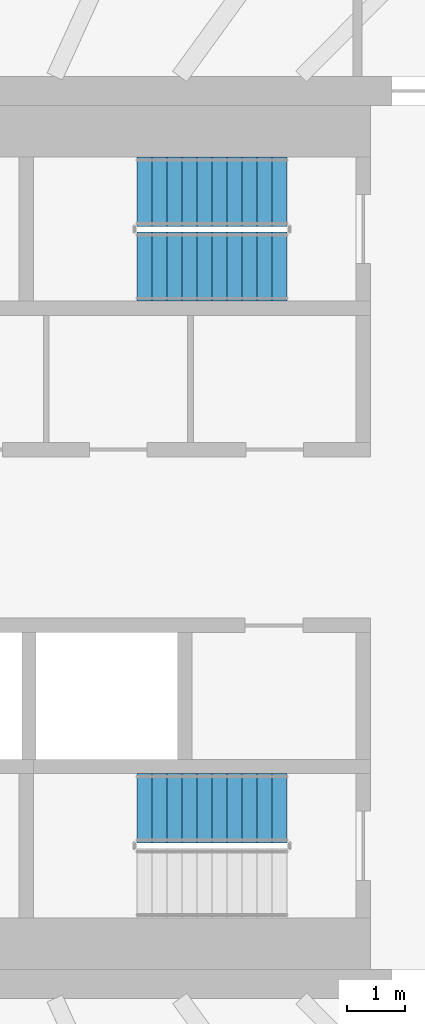
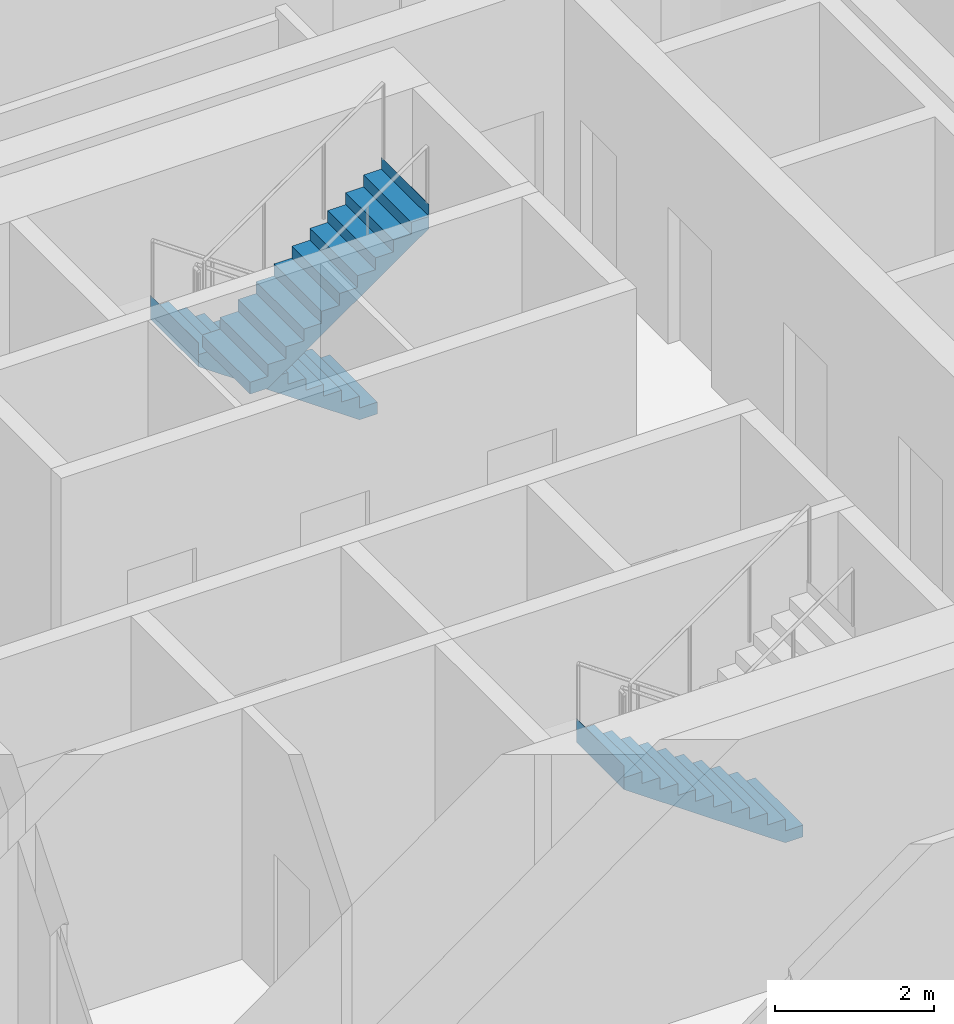
# One storey, part 17 of 23: 3 stair flights, 2 elements without a shape of their own.
"""IFC4 building model written with IfcOpenShell, lengths in metres."""

from ifc_helpers import new_model, si_unit, direction, frame, origin, place, context, subcontext, project, spatial, triangles, material, type_object, element, aggregate, save


model = new_model("IFC4")

# Units and contexts
model_context = context("Model", 3, precision=1e-05, world=origin(), true_north=direction((0.0, 1.0)))
body_context = subcontext(model_context, "Body", "Model", "MODEL_VIEW")
ifc_project = project(units=[si_unit("LENGTHUNIT", "METRE"), si_unit("AREAUNIT", "SQUARE_METRE"), si_unit("VOLUMEUNIT", "CUBIC_METRE"), si_unit("PLANEANGLEUNIT", "RADIAN"), si_unit("MASSUNIT", "GRAM", prefix="KILO")], contexts=[model_context])

# Site, building, storey
site_placement = place(None, origin())
site = spatial("IfcSite", under=ifc_project, at=site_placement, CompositionType="ELEMENT")
building_placement = place(site_placement, origin())
building = spatial("IfcBuilding", under=site, at=building_placement, Name="Sahrelin Media Tower", CompositionType="ELEMENT")
storey_placement = place(building_placement, frame((0.0, 0.0, 173.60009765625)))
storey = spatial("IfcBuildingStorey", under=building, at=storey_placement, Name="L36", CompositionType="ELEMENT", Elevation=173.60009765625)

# Stair, stair flights
ifc_material = material(Name="Concrete C40/50", Category="concrete")
stair_type = type_object("IfcStairType", Name="Exit stair 1200", PredefinedType="HALF_TURN_STAIR", material=ifc_material)
placement = place(storey_placement, origin())
stair_1 = element("IfcStair", 1, at=placement, inside=storey, type_object=stair_type, Name="L36 Exit stair ST3", PredefinedType="HALF_TURN_STAIR")
stair_flight_type = type_object("IfcStairFlightType", Name="Stair flight 1200", PredefinedType="STRAIGHT", material=ifc_material)
stair_flight_1_placement = place(storey_placement, frame((7.675048828125, 6.0, 0.0), z_axis=(0.0, 0.0, 1.0), x_axis=(-1.0, 0.0, 0.0)))
stair_flight_1 = element("IfcStairFlight", 2, at=stair_flight_1_placement, type_object=stair_flight_type, Name="ST3 flight 1", NumberOfRisers=11, NumberOfTreads=10, PredefinedType="STRAIGHT", RiserHeight=0.181818182, TreadLength=0.26, context=body_context, shape_type="Tessellation", body=[
    triangles([(0.261474609375, 0.60009765625, 0.0), (0.261474609375, 0.300048828125, 0.0), (0.261474609375, 0.0, 0.0), (0.261474609375, -0.300048828125, 0.0), (0.261474609375, -0.60009765625, 0.0), (2.60009765625, 0.60009765625, 1.63525390625), (2.60009765625, 0.300048828125, 1.63525390625), (2.60009765625, 0.0, 1.63525390625), (2.60009765625, -0.300048828125, 1.63525390625), (2.60009765625, -0.60009765625, 1.63525390625), (2.60009765625, 0.60009765625, 2.0), (2.60009765625, 0.300048828125, 2.0), (2.60009765625, 0.0, 2.0), (2.60009765625, -0.300048828125, 2.0), (2.60009765625, -0.60009765625, 2.0), (2.597900390625, 0.60009765625, 2.0), (2.597900390625, 0.300048828125, 2.0), (2.597900390625, 0.0, 2.0), (2.597900390625, -0.300048828125, 2.0), (2.597900390625, -0.60009765625, 2.0), (2.597900390625, 0.60009765625, 1.818115234375), (2.597900390625, 0.300048828125, 1.818115234375), (2.597900390625, 0.0, 1.818115234375), (2.597900390625, -0.300048828125, 1.818115234375), (2.597900390625, -0.60009765625, 1.818115234375), (2.340087890625, 0.60009765625, 1.818115234375), (2.340087890625, 0.300048828125, 1.818115234375), (2.340087890625, 0.0, 1.818115234375), (2.340087890625, -0.300048828125, 1.818115234375), (2.340087890625, -0.60009765625, 1.818115234375), (2.340087890625, 0.60009765625, 1.636474609375), (2.340087890625, 0.300048828125, 1.636474609375), (2.340087890625, 0.0, 1.636474609375), (2.340087890625, -0.300048828125, 1.636474609375), (2.340087890625, -0.60009765625, 1.636474609375), (2.080078125, 0.60009765625, 1.636474609375), (2.080078125, 0.300048828125, 1.636474609375), (2.080078125, 0.0, 1.636474609375), (2.080078125, -0.300048828125, 1.636474609375), (2.080078125, -0.60009765625, 1.636474609375), (2.080078125, 0.60009765625, 1.45458984375), (2.080078125, 0.300048828125, 1.45458984375), (2.080078125, 0.0, 1.45458984375), (2.080078125, -0.300048828125, 1.45458984375), (2.080078125, -0.60009765625, 1.45458984375), (1.820068359375, 0.60009765625, 1.45458984375), (1.820068359375, 0.300048828125, 1.45458984375), (1.820068359375, 0.0, 1.45458984375), (1.820068359375, -0.300048828125, 1.45458984375), (1.820068359375, -0.60009765625, 1.45458984375), (1.820068359375, 0.60009765625, 1.272705078125), (1.820068359375, 0.300048828125, 1.272705078125), (1.820068359375, 0.0, 1.272705078125), (1.820068359375, -0.300048828125, 1.272705078125), (1.820068359375, -0.60009765625, 1.272705078125), (1.56005859375, 0.60009765625, 1.272705078125), (1.56005859375, 0.300048828125, 1.272705078125), (1.56005859375, 0.0, 1.272705078125), (1.56005859375, -0.300048828125, 1.272705078125), (1.56005859375, -0.60009765625, 1.272705078125), (1.56005859375, 0.60009765625, 1.0908203125), (1.56005859375, 0.300048828125, 1.0908203125), (1.56005859375, 0.0, 1.0908203125), (1.56005859375, -0.300048828125, 1.0908203125), (1.56005859375, -0.60009765625, 1.0908203125), (1.300048828125, 0.60009765625, 1.0908203125), (1.300048828125, 0.300048828125, 1.0908203125), (1.300048828125, 0.0, 1.0908203125), (1.300048828125, -0.300048828125, 1.0908203125), (1.300048828125, -0.60009765625, 1.0908203125), (1.300048828125, 0.60009765625, 0.9091796875), (1.300048828125, 0.300048828125, 0.9091796875), (1.300048828125, 0.0, 0.9091796875), (1.300048828125, -0.300048828125, 0.9091796875), (1.300048828125, -0.60009765625, 0.9091796875), (1.0400390625, 0.60009765625, 0.9091796875), (1.0400390625, 0.300048828125, 0.9091796875), (1.0400390625, 0.0, 0.9091796875), (1.0400390625, -0.300048828125, 0.9091796875), (1.0400390625, -0.60009765625, 0.9091796875), (1.0400390625, 0.60009765625, 0.727294921875), (1.0400390625, 0.300048828125, 0.727294921875), (1.0400390625, 0.0, 0.727294921875), (1.0400390625, -0.300048828125, 0.727294921875), (1.0400390625, -0.60009765625, 0.727294921875), (0.780029296875, 0.60009765625, 0.727294921875), (0.780029296875, 0.300048828125, 0.727294921875), (0.780029296875, 0.0, 0.727294921875), (0.780029296875, -0.300048828125, 0.727294921875), (0.780029296875, -0.60009765625, 0.727294921875), (0.780029296875, 0.60009765625, 0.54541015625), (0.780029296875, 0.300048828125, 0.54541015625), (0.780029296875, 0.0, 0.54541015625), (0.780029296875, -0.300048828125, 0.54541015625), (0.780029296875, -0.60009765625, 0.54541015625), (0.52001953125, 0.60009765625, 0.54541015625), (0.52001953125, 0.300048828125, 0.54541015625), (0.52001953125, 0.0, 0.54541015625), (0.52001953125, -0.300048828125, 0.54541015625), (0.52001953125, -0.60009765625, 0.54541015625), (0.52001953125, 0.60009765625, 0.363525390625), (0.52001953125, 0.300048828125, 0.363525390625), (0.52001953125, 0.0, 0.363525390625), (0.52001953125, -0.300048828125, 0.363525390625), (0.52001953125, -0.60009765625, 0.363525390625), (0.260009765625, 0.60009765625, 0.363525390625), (0.260009765625, 0.300048828125, 0.363525390625), (0.260009765625, 0.0, 0.363525390625), (0.260009765625, -0.300048828125, 0.363525390625), (0.260009765625, -0.60009765625, 0.363525390625), (0.260009765625, 0.60009765625, 0.181884765625), (0.260009765625, 0.300048828125, 0.181884765625), (0.260009765625, 0.0, 0.181884765625), (0.260009765625, -0.300048828125, 0.181884765625), (0.260009765625, -0.60009765625, 0.181884765625), (0.0, 0.60009765625, 0.181884765625), (0.0, 0.300048828125, 0.181884765625), (0.0, 0.0, 0.181884765625), (0.0, -0.300048828125, 0.181884765625), (0.0, -0.60009765625, 0.181884765625), (0.0, 0.60009765625, 0.0), (0.0, 0.300048828125, 0.0), (0.0, 0.0, 0.0), (0.0, -0.300048828125, 0.0), (0.0, -0.60009765625, 0.0)], [[1, 6, 7], [1, 7, 2], [2, 7, 8], [2, 8, 3], [3, 8, 9], [3, 9, 4], [4, 9, 10], [4, 10, 5], [6, 11, 12], [6, 12, 7], [7, 12, 13], [7, 13, 8], [8, 13, 14], [8, 14, 9], [9, 14, 15], [9, 15, 10], [11, 16, 17], [11, 17, 12], [12, 17, 18], [12, 18, 13], [13, 18, 19], [13, 19, 14], [14, 19, 20], [14, 20, 15], [16, 21, 22], [16, 22, 17], [17, 22, 23], [17, 23, 18], [18, 23, 24], [18, 24, 19], [19, 24, 25], [19, 25, 20], [21, 26, 27], [21, 27, 22], [22, 27, 28], [22, 28, 23], [23, 28, 29], [23, 29, 24], [24, 29, 30], [24, 30, 25], [26, 31, 32], [26, 32, 27], [27, 32, 33], [27, 33, 28], [28, 33, 34], [28, 34, 29], [29, 34, 35], [29, 35, 30], [31, 36, 37], [31, 37, 32], [32, 37, 38], [32, 38, 33], [33, 38, 39], [33, 39, 34], [34, 39, 40], [34, 40, 35], [36, 41, 42], [36, 42, 37], [37, 42, 43], [37, 43, 38], [38, 43, 44], [38, 44, 39], [39, 44, 45], [39, 45, 40], [41, 46, 47], [41, 47, 42], [42, 47, 48], [42, 48, 43], [43, 48, 49], [43, 49, 44], [44, 49, 50], [44, 50, 45], [46, 51, 52], [46, 52, 47], [47, 52, 53], [47, 53, 48], [48, 53, 54], [48, 54, 49], [49, 54, 55], [49, 55, 50], [51, 56, 57], [51, 57, 52], [52, 57, 58], [52, 58, 53], [53, 58, 59], [53, 59, 54], [54, 59, 60], [54, 60, 55], [56, 61, 62], [56, 62, 57], [57, 62, 63], [57, 63, 58], [58, 63, 64], [58, 64, 59], [59, 64, 65], [59, 65, 60], [61, 66, 67], [61, 67, 62], [62, 67, 68], [62, 68, 63], [63, 68, 69], [63, 69, 64], [64, 69, 70], [64, 70, 65], [66, 71, 72], [66, 72, 67], [67, 72, 73], [67, 73, 68], [68, 73, 74], [68, 74, 69], [69, 74, 75], [69, 75, 70], [71, 76, 77], [71, 77, 72], [72, 77, 78], [72, 78, 73], [73, 78, 79], [73, 79, 74], [74, 79, 80], [74, 80, 75], [76, 81, 82], [76, 82, 77], [77, 82, 83], [77, 83, 78], [78, 83, 84], [78, 84, 79], [79, 84, 85], [79, 85, 80], [81, 86, 87], [81, 87, 82], [82, 87, 88], [82, 88, 83], [83, 88, 89], [83, 89, 84], [84, 89, 90], [84, 90, 85], [86, 91, 92], [86, 92, 87], [87, 92, 93], [87, 93, 88], [88, 93, 94], [88, 94, 89], [89, 94, 95], [89, 95, 90], [91, 96, 97], [91, 97, 92], [92, 97, 98], [92, 98, 93], [93, 98, 99], [93, 99, 94], [94, 99, 100], [94, 100, 95], [96, 101, 102], [96, 102, 97], [97, 102, 103], [97, 103, 98], [98, 103, 104], [98, 104, 99], [99, 104, 105], [99, 105, 100], [101, 106, 107], [101, 107, 102], [102, 107, 108], [102, 108, 103], [103, 108, 109], [103, 109, 104], [104, 109, 110], [104, 110, 105], [106, 111, 112], [106, 112, 107], [107, 112, 113], [107, 113, 108], [108, 113, 114], [108, 114, 109], [109, 114, 115], [109, 115, 110], [111, 116, 117], [111, 117, 112], [112, 117, 118], [112, 118, 113], [113, 118, 119], [113, 119, 114], [114, 119, 120], [114, 120, 115], [116, 121, 122], [116, 122, 117], [117, 122, 123], [117, 123, 118], [118, 123, 124], [118, 124, 119], [119, 124, 125], [119, 125, 120], [121, 1, 2], [121, 2, 122], [122, 2, 3], [122, 3, 123], [123, 3, 4], [123, 4, 124], [124, 4, 5], [124, 5, 125], [115, 120, 125], [111, 121, 116], [115, 105, 110], [111, 106, 101], [105, 95, 100], [101, 96, 91], [95, 85, 90], [91, 86, 81], [85, 75, 80], [81, 76, 71], [75, 65, 70], [71, 66, 61], [65, 55, 60], [61, 56, 51], [55, 45, 50], [51, 46, 41], [45, 35, 40], [41, 36, 31], [35, 25, 30], [31, 26, 21], [25, 15, 20], [21, 16, 11], [125, 5, 115], [121, 111, 1], [25, 10, 15], [21, 11, 6], [105, 115, 5], [101, 1, 111], [35, 10, 25], [31, 21, 6], [95, 105, 5], [91, 1, 101], [45, 10, 35], [41, 31, 6], [85, 95, 5], [81, 1, 91], [55, 10, 45], [51, 41, 6], [75, 85, 5], [71, 1, 81], [65, 10, 55], [61, 51, 6], [5, 10, 75], [1, 71, 6], [75, 10, 65], [71, 61, 6]], closed=True),
])
stair_flight_2_placement = place(storey_placement, frame((5.074951171875, 4.699951171875, 2.0), z_axis=(0.0, 0.0, 1.0), x_axis=(1.0, 0.0, 0.0)))
stair_flight_2 = element("IfcStairFlight", 3, at=stair_flight_2_placement, type_object=stair_flight_type, Name="ST3 flight 2", NumberOfRisers=11, NumberOfTreads=10, PredefinedType="STRAIGHT", RiserHeight=0.181818182, TreadLength=0.26, context=body_context, shape_type="Tessellation", body=[
    triangles([(0.261474609375, 0.60009765625, 0.0), (0.261474609375, 0.300048828125, 0.0), (0.261474609375, 0.0, 0.0), (0.261474609375, -0.300048828125, 0.0), (0.261474609375, -0.60009765625, 0.0), (2.60009765625, 0.60009765625, 1.63525390625), (2.60009765625, 0.300048828125, 1.63525390625), (2.60009765625, 0.0, 1.63525390625), (2.60009765625, -0.300048828125, 1.63525390625), (2.60009765625, -0.60009765625, 1.63525390625), (2.60009765625, 0.60009765625, 2.0), (2.60009765625, 0.300048828125, 2.0), (2.60009765625, 0.0, 2.0), (2.60009765625, -0.300048828125, 2.0), (2.60009765625, -0.60009765625, 2.0), (2.597900390625, 0.60009765625, 2.0), (2.597900390625, 0.300048828125, 2.0), (2.597900390625, 0.0, 2.0), (2.597900390625, -0.300048828125, 2.0), (2.597900390625, -0.60009765625, 2.0), (2.597900390625, 0.60009765625, 1.818115234375), (2.597900390625, 0.300048828125, 1.818115234375), (2.597900390625, 0.0, 1.818115234375), (2.597900390625, -0.300048828125, 1.818115234375), (2.597900390625, -0.60009765625, 1.818115234375), (2.340087890625, 0.60009765625, 1.818115234375), (2.340087890625, 0.300048828125, 1.818115234375), (2.340087890625, 0.0, 1.818115234375), (2.340087890625, -0.300048828125, 1.818115234375), (2.340087890625, -0.60009765625, 1.818115234375), (2.340087890625, 0.60009765625, 1.636474609375), (2.340087890625, 0.300048828125, 1.636474609375), (2.340087890625, 0.0, 1.636474609375), (2.340087890625, -0.300048828125, 1.636474609375), (2.340087890625, -0.60009765625, 1.636474609375), (2.080078125, 0.60009765625, 1.636474609375), (2.080078125, 0.300048828125, 1.636474609375), (2.080078125, 0.0, 1.636474609375), (2.080078125, -0.300048828125, 1.636474609375), (2.080078125, -0.60009765625, 1.636474609375), (2.080078125, 0.60009765625, 1.45458984375), (2.080078125, 0.300048828125, 1.45458984375), (2.080078125, 0.0, 1.45458984375), (2.080078125, -0.300048828125, 1.45458984375), (2.080078125, -0.60009765625, 1.45458984375), (1.820068359375, 0.60009765625, 1.45458984375), (1.820068359375, 0.300048828125, 1.45458984375), (1.820068359375, 0.0, 1.45458984375), (1.820068359375, -0.300048828125, 1.45458984375), (1.820068359375, -0.60009765625, 1.45458984375), (1.820068359375, 0.60009765625, 1.272705078125), (1.820068359375, 0.300048828125, 1.272705078125), (1.820068359375, 0.0, 1.272705078125), (1.820068359375, -0.300048828125, 1.272705078125), (1.820068359375, -0.60009765625, 1.272705078125), (1.56005859375, 0.60009765625, 1.272705078125), (1.56005859375, 0.300048828125, 1.272705078125), (1.56005859375, 0.0, 1.272705078125), (1.56005859375, -0.300048828125, 1.272705078125), (1.56005859375, -0.60009765625, 1.272705078125), (1.56005859375, 0.60009765625, 1.0908203125), (1.56005859375, 0.300048828125, 1.0908203125), (1.56005859375, 0.0, 1.0908203125), (1.56005859375, -0.300048828125, 1.0908203125), (1.56005859375, -0.60009765625, 1.0908203125), (1.300048828125, 0.60009765625, 1.0908203125), (1.300048828125, 0.300048828125, 1.0908203125), (1.300048828125, 0.0, 1.0908203125), (1.300048828125, -0.300048828125, 1.0908203125), (1.300048828125, -0.60009765625, 1.0908203125), (1.300048828125, 0.60009765625, 0.9091796875), (1.300048828125, 0.300048828125, 0.9091796875), (1.300048828125, 0.0, 0.9091796875), (1.300048828125, -0.300048828125, 0.9091796875), (1.300048828125, -0.60009765625, 0.9091796875), (1.0400390625, 0.60009765625, 0.9091796875), (1.0400390625, 0.300048828125, 0.9091796875), (1.0400390625, 0.0, 0.9091796875), (1.0400390625, -0.300048828125, 0.9091796875), (1.0400390625, -0.60009765625, 0.9091796875), (1.0400390625, 0.60009765625, 0.727294921875), (1.0400390625, 0.300048828125, 0.727294921875), (1.0400390625, 0.0, 0.727294921875), (1.0400390625, -0.300048828125, 0.727294921875), (1.0400390625, -0.60009765625, 0.727294921875), (0.780029296875, 0.60009765625, 0.727294921875), (0.780029296875, 0.300048828125, 0.727294921875), (0.780029296875, 0.0, 0.727294921875), (0.780029296875, -0.300048828125, 0.727294921875), (0.780029296875, -0.60009765625, 0.727294921875), (0.780029296875, 0.60009765625, 0.54541015625), (0.780029296875, 0.300048828125, 0.54541015625), (0.780029296875, 0.0, 0.54541015625), (0.780029296875, -0.300048828125, 0.54541015625), (0.780029296875, -0.60009765625, 0.54541015625), (0.52001953125, 0.60009765625, 0.54541015625), (0.52001953125, 0.300048828125, 0.54541015625), (0.52001953125, 0.0, 0.54541015625), (0.52001953125, -0.300048828125, 0.54541015625), (0.52001953125, -0.60009765625, 0.54541015625), (0.52001953125, 0.60009765625, 0.363525390625), (0.52001953125, 0.300048828125, 0.363525390625), (0.52001953125, 0.0, 0.363525390625), (0.52001953125, -0.300048828125, 0.363525390625), (0.52001953125, -0.60009765625, 0.363525390625), (0.260009765625, 0.60009765625, 0.363525390625), (0.260009765625, 0.300048828125, 0.363525390625), (0.260009765625, 0.0, 0.363525390625), (0.260009765625, -0.300048828125, 0.363525390625), (0.260009765625, -0.60009765625, 0.363525390625), (0.260009765625, 0.60009765625, 0.181884765625), (0.260009765625, 0.300048828125, 0.181884765625), (0.260009765625, 0.0, 0.181884765625), (0.260009765625, -0.300048828125, 0.181884765625), (0.260009765625, -0.60009765625, 0.181884765625), (0.0, 0.60009765625, 0.181884765625), (0.0, 0.300048828125, 0.181884765625), (0.0, 0.0, 0.181884765625), (0.0, -0.300048828125, 0.181884765625), (0.0, -0.60009765625, 0.181884765625), (0.0, 0.60009765625, 0.0), (0.0, 0.300048828125, 0.0), (0.0, 0.0, 0.0), (0.0, -0.300048828125, 0.0), (0.0, -0.60009765625, 0.0)], [[1, 6, 7], [1, 7, 2], [2, 7, 8], [2, 8, 3], [3, 8, 9], [3, 9, 4], [4, 9, 10], [4, 10, 5], [6, 11, 12], [6, 12, 7], [7, 12, 13], [7, 13, 8], [8, 13, 14], [8, 14, 9], [9, 14, 15], [9, 15, 10], [11, 16, 17], [11, 17, 12], [12, 17, 18], [12, 18, 13], [13, 18, 19], [13, 19, 14], [14, 19, 20], [14, 20, 15], [16, 21, 22], [16, 22, 17], [17, 22, 23], [17, 23, 18], [18, 23, 24], [18, 24, 19], [19, 24, 25], [19, 25, 20], [21, 26, 27], [21, 27, 22], [22, 27, 28], [22, 28, 23], [23, 28, 29], [23, 29, 24], [24, 29, 30], [24, 30, 25], [26, 31, 32], [26, 32, 27], [27, 32, 33], [27, 33, 28], [28, 33, 34], [28, 34, 29], [29, 34, 35], [29, 35, 30], [31, 36, 37], [31, 37, 32], [32, 37, 38], [32, 38, 33], [33, 38, 39], [33, 39, 34], [34, 39, 40], [34, 40, 35], [36, 41, 42], [36, 42, 37], [37, 42, 43], [37, 43, 38], [38, 43, 44], [38, 44, 39], [39, 44, 45], [39, 45, 40], [41, 46, 47], [41, 47, 42], [42, 47, 48], [42, 48, 43], [43, 48, 49], [43, 49, 44], [44, 49, 50], [44, 50, 45], [46, 51, 52], [46, 52, 47], [47, 52, 53], [47, 53, 48], [48, 53, 54], [48, 54, 49], [49, 54, 55], [49, 55, 50], [51, 56, 57], [51, 57, 52], [52, 57, 58], [52, 58, 53], [53, 58, 59], [53, 59, 54], [54, 59, 60], [54, 60, 55], [56, 61, 62], [56, 62, 57], [57, 62, 63], [57, 63, 58], [58, 63, 64], [58, 64, 59], [59, 64, 65], [59, 65, 60], [61, 66, 67], [61, 67, 62], [62, 67, 68], [62, 68, 63], [63, 68, 69], [63, 69, 64], [64, 69, 70], [64, 70, 65], [66, 71, 72], [66, 72, 67], [67, 72, 73], [67, 73, 68], [68, 73, 74], [68, 74, 69], [69, 74, 75], [69, 75, 70], [71, 76, 77], [71, 77, 72], [72, 77, 78], [72, 78, 73], [73, 78, 79], [73, 79, 74], [74, 79, 80], [74, 80, 75], [76, 81, 82], [76, 82, 77], [77, 82, 83], [77, 83, 78], [78, 83, 84], [78, 84, 79], [79, 84, 85], [79, 85, 80], [81, 86, 87], [81, 87, 82], [82, 87, 88], [82, 88, 83], [83, 88, 89], [83, 89, 84], [84, 89, 90], [84, 90, 85], [86, 91, 92], [86, 92, 87], [87, 92, 93], [87, 93, 88], [88, 93, 94], [88, 94, 89], [89, 94, 95], [89, 95, 90], [91, 96, 97], [91, 97, 92], [92, 97, 98], [92, 98, 93], [93, 98, 99], [93, 99, 94], [94, 99, 100], [94, 100, 95], [96, 101, 102], [96, 102, 97], [97, 102, 103], [97, 103, 98], [98, 103, 104], [98, 104, 99], [99, 104, 105], [99, 105, 100], [101, 106, 107], [101, 107, 102], [102, 107, 108], [102, 108, 103], [103, 108, 109], [103, 109, 104], [104, 109, 110], [104, 110, 105], [106, 111, 112], [106, 112, 107], [107, 112, 113], [107, 113, 108], [108, 113, 114], [108, 114, 109], [109, 114, 115], [109, 115, 110], [111, 116, 117], [111, 117, 112], [112, 117, 118], [112, 118, 113], [113, 118, 119], [113, 119, 114], [114, 119, 120], [114, 120, 115], [116, 121, 122], [116, 122, 117], [117, 122, 123], [117, 123, 118], [118, 123, 124], [118, 124, 119], [119, 124, 125], [119, 125, 120], [121, 1, 2], [121, 2, 122], [122, 2, 3], [122, 3, 123], [123, 3, 4], [123, 4, 124], [124, 4, 5], [124, 5, 125], [115, 120, 125], [111, 121, 116], [115, 105, 110], [111, 106, 101], [105, 95, 100], [101, 96, 91], [95, 85, 90], [91, 86, 81], [85, 75, 80], [81, 76, 71], [75, 65, 70], [71, 66, 61], [65, 55, 60], [61, 56, 51], [55, 45, 50], [51, 46, 41], [45, 35, 40], [41, 36, 31], [35, 25, 30], [31, 26, 21], [25, 15, 20], [21, 16, 11], [125, 5, 115], [121, 111, 1], [25, 10, 15], [21, 11, 6], [105, 115, 5], [101, 1, 111], [35, 10, 25], [31, 21, 6], [95, 105, 5], [91, 1, 101], [45, 10, 35], [41, 31, 6], [85, 95, 5], [81, 1, 91], [55, 10, 45], [51, 41, 6], [75, 85, 5], [71, 1, 81], [65, 10, 55], [61, 51, 6], [5, 10, 75], [1, 71, 6], [75, 10, 65], [71, 61, 6]], closed=True),
])
aggregate(stair_1, [stair_flight_1, stair_flight_2])

# Stair, stair flight
stair_2 = element("IfcStair", 4, at=placement, inside=storey, type_object=stair_type, Name="L36 Exit stair ST2", PredefinedType="HALF_TURN_STAIR")
stair_flight_3_placement = place(storey_placement, frame((7.675048828125, -4.699951171875, 0.0), z_axis=(0.0, 0.0, 1.0), x_axis=(-1.0, 0.0, 0.0)))
stair_flight_3 = element("IfcStairFlight", 5, at=stair_flight_3_placement, type_object=stair_flight_type, Name="ST2 flight 1", NumberOfRisers=11, NumberOfTreads=10, PredefinedType="STRAIGHT", RiserHeight=0.181818182, TreadLength=0.26, context=body_context, shape_type="Tessellation", body=[
    triangles([(0.261474609375, 0.60009765625, 0.0), (0.261474609375, 0.300048828125, 0.0), (0.261474609375, 0.0, 0.0), (0.261474609375, -0.300048828125, 0.0), (0.261474609375, -0.60009765625, 0.0), (2.60009765625, 0.60009765625, 1.63525390625), (2.60009765625, 0.300048828125, 1.63525390625), (2.60009765625, 0.0, 1.63525390625), (2.60009765625, -0.300048828125, 1.63525390625), (2.60009765625, -0.60009765625, 1.63525390625), (2.60009765625, 0.60009765625, 2.0), (2.60009765625, 0.300048828125, 2.0), (2.60009765625, 0.0, 2.0), (2.60009765625, -0.300048828125, 2.0), (2.60009765625, -0.60009765625, 2.0), (2.597900390625, 0.60009765625, 2.0), (2.597900390625, 0.300048828125, 2.0), (2.597900390625, 0.0, 2.0), (2.597900390625, -0.300048828125, 2.0), (2.597900390625, -0.60009765625, 2.0), (2.597900390625, 0.60009765625, 1.818115234375), (2.597900390625, 0.300048828125, 1.818115234375), (2.597900390625, 0.0, 1.818115234375), (2.597900390625, -0.300048828125, 1.818115234375), (2.597900390625, -0.60009765625, 1.818115234375), (2.340087890625, 0.60009765625, 1.818115234375), (2.340087890625, 0.300048828125, 1.818115234375), (2.340087890625, 0.0, 1.818115234375), (2.340087890625, -0.300048828125, 1.818115234375), (2.340087890625, -0.60009765625, 1.818115234375), (2.340087890625, 0.60009765625, 1.636474609375), (2.340087890625, 0.300048828125, 1.636474609375), (2.340087890625, 0.0, 1.636474609375), (2.340087890625, -0.300048828125, 1.636474609375), (2.340087890625, -0.60009765625, 1.636474609375), (2.080078125, 0.60009765625, 1.636474609375), (2.080078125, 0.300048828125, 1.636474609375), (2.080078125, 0.0, 1.636474609375), (2.080078125, -0.300048828125, 1.636474609375), (2.080078125, -0.60009765625, 1.636474609375), (2.080078125, 0.60009765625, 1.45458984375), (2.080078125, 0.300048828125, 1.45458984375), (2.080078125, 0.0, 1.45458984375), (2.080078125, -0.300048828125, 1.45458984375), (2.080078125, -0.60009765625, 1.45458984375), (1.820068359375, 0.60009765625, 1.45458984375), (1.820068359375, 0.300048828125, 1.45458984375), (1.820068359375, 0.0, 1.45458984375), (1.820068359375, -0.300048828125, 1.45458984375), (1.820068359375, -0.60009765625, 1.45458984375), (1.820068359375, 0.60009765625, 1.272705078125), (1.820068359375, 0.300048828125, 1.272705078125), (1.820068359375, 0.0, 1.272705078125), (1.820068359375, -0.300048828125, 1.272705078125), (1.820068359375, -0.60009765625, 1.272705078125), (1.56005859375, 0.60009765625, 1.272705078125), (1.56005859375, 0.300048828125, 1.272705078125), (1.56005859375, 0.0, 1.272705078125), (1.56005859375, -0.300048828125, 1.272705078125), (1.56005859375, -0.60009765625, 1.272705078125), (1.56005859375, 0.60009765625, 1.0908203125), (1.56005859375, 0.300048828125, 1.0908203125), (1.56005859375, 0.0, 1.0908203125), (1.56005859375, -0.300048828125, 1.0908203125), (1.56005859375, -0.60009765625, 1.0908203125), (1.300048828125, 0.60009765625, 1.0908203125), (1.300048828125, 0.300048828125, 1.0908203125), (1.300048828125, 0.0, 1.0908203125), (1.300048828125, -0.300048828125, 1.0908203125), (1.300048828125, -0.60009765625, 1.0908203125), (1.300048828125, 0.60009765625, 0.9091796875), (1.300048828125, 0.300048828125, 0.9091796875), (1.300048828125, 0.0, 0.9091796875), (1.300048828125, -0.300048828125, 0.9091796875), (1.300048828125, -0.60009765625, 0.9091796875), (1.0400390625, 0.60009765625, 0.9091796875), (1.0400390625, 0.300048828125, 0.9091796875), (1.0400390625, 0.0, 0.9091796875), (1.0400390625, -0.300048828125, 0.9091796875), (1.0400390625, -0.60009765625, 0.9091796875), (1.0400390625, 0.60009765625, 0.727294921875), (1.0400390625, 0.300048828125, 0.727294921875), (1.0400390625, 0.0, 0.727294921875), (1.0400390625, -0.300048828125, 0.727294921875), (1.0400390625, -0.60009765625, 0.727294921875), (0.780029296875, 0.60009765625, 0.727294921875), (0.780029296875, 0.300048828125, 0.727294921875), (0.780029296875, 0.0, 0.727294921875), (0.780029296875, -0.300048828125, 0.727294921875), (0.780029296875, -0.60009765625, 0.727294921875), (0.780029296875, 0.60009765625, 0.54541015625), (0.780029296875, 0.300048828125, 0.54541015625), (0.780029296875, 0.0, 0.54541015625), (0.780029296875, -0.300048828125, 0.54541015625), (0.780029296875, -0.60009765625, 0.54541015625), (0.52001953125, 0.60009765625, 0.54541015625), (0.52001953125, 0.300048828125, 0.54541015625), (0.52001953125, 0.0, 0.54541015625), (0.52001953125, -0.300048828125, 0.54541015625), (0.52001953125, -0.60009765625, 0.54541015625), (0.52001953125, 0.60009765625, 0.363525390625), (0.52001953125, 0.300048828125, 0.363525390625), (0.52001953125, 0.0, 0.363525390625), (0.52001953125, -0.300048828125, 0.363525390625), (0.52001953125, -0.60009765625, 0.363525390625), (0.260009765625, 0.60009765625, 0.363525390625), (0.260009765625, 0.300048828125, 0.363525390625), (0.260009765625, 0.0, 0.363525390625), (0.260009765625, -0.300048828125, 0.363525390625), (0.260009765625, -0.60009765625, 0.363525390625), (0.260009765625, 0.60009765625, 0.181884765625), (0.260009765625, 0.300048828125, 0.181884765625), (0.260009765625, 0.0, 0.181884765625), (0.260009765625, -0.300048828125, 0.181884765625), (0.260009765625, -0.60009765625, 0.181884765625), (0.0, 0.60009765625, 0.181884765625), (0.0, 0.300048828125, 0.181884765625), (0.0, 0.0, 0.181884765625), (0.0, -0.300048828125, 0.181884765625), (0.0, -0.60009765625, 0.181884765625), (0.0, 0.60009765625, 0.0), (0.0, 0.300048828125, 0.0), (0.0, 0.0, 0.0), (0.0, -0.300048828125, 0.0), (0.0, -0.60009765625, 0.0)], [[1, 6, 7], [1, 7, 2], [2, 7, 8], [2, 8, 3], [3, 8, 9], [3, 9, 4], [4, 9, 10], [4, 10, 5], [6, 11, 12], [6, 12, 7], [7, 12, 13], [7, 13, 8], [8, 13, 14], [8, 14, 9], [9, 14, 15], [9, 15, 10], [11, 16, 17], [11, 17, 12], [12, 17, 18], [12, 18, 13], [13, 18, 19], [13, 19, 14], [14, 19, 20], [14, 20, 15], [16, 21, 22], [16, 22, 17], [17, 22, 23], [17, 23, 18], [18, 23, 24], [18, 24, 19], [19, 24, 25], [19, 25, 20], [21, 26, 27], [21, 27, 22], [22, 27, 28], [22, 28, 23], [23, 28, 29], [23, 29, 24], [24, 29, 30], [24, 30, 25], [26, 31, 32], [26, 32, 27], [27, 32, 33], [27, 33, 28], [28, 33, 34], [28, 34, 29], [29, 34, 35], [29, 35, 30], [31, 36, 37], [31, 37, 32], [32, 37, 38], [32, 38, 33], [33, 38, 39], [33, 39, 34], [34, 39, 40], [34, 40, 35], [36, 41, 42], [36, 42, 37], [37, 42, 43], [37, 43, 38], [38, 43, 44], [38, 44, 39], [39, 44, 45], [39, 45, 40], [41, 46, 47], [41, 47, 42], [42, 47, 48], [42, 48, 43], [43, 48, 49], [43, 49, 44], [44, 49, 50], [44, 50, 45], [46, 51, 52], [46, 52, 47], [47, 52, 53], [47, 53, 48], [48, 53, 54], [48, 54, 49], [49, 54, 55], [49, 55, 50], [51, 56, 57], [51, 57, 52], [52, 57, 58], [52, 58, 53], [53, 58, 59], [53, 59, 54], [54, 59, 60], [54, 60, 55], [56, 61, 62], [56, 62, 57], [57, 62, 63], [57, 63, 58], [58, 63, 64], [58, 64, 59], [59, 64, 65], [59, 65, 60], [61, 66, 67], [61, 67, 62], [62, 67, 68], [62, 68, 63], [63, 68, 69], [63, 69, 64], [64, 69, 70], [64, 70, 65], [66, 71, 72], [66, 72, 67], [67, 72, 73], [67, 73, 68], [68, 73, 74], [68, 74, 69], [69, 74, 75], [69, 75, 70], [71, 76, 77], [71, 77, 72], [72, 77, 78], [72, 78, 73], [73, 78, 79], [73, 79, 74], [74, 79, 80], [74, 80, 75], [76, 81, 82], [76, 82, 77], [77, 82, 83], [77, 83, 78], [78, 83, 84], [78, 84, 79], [79, 84, 85], [79, 85, 80], [81, 86, 87], [81, 87, 82], [82, 87, 88], [82, 88, 83], [83, 88, 89], [83, 89, 84], [84, 89, 90], [84, 90, 85], [86, 91, 92], [86, 92, 87], [87, 92, 93], [87, 93, 88], [88, 93, 94], [88, 94, 89], [89, 94, 95], [89, 95, 90], [91, 96, 97], [91, 97, 92], [92, 97, 98], [92, 98, 93], [93, 98, 99], [93, 99, 94], [94, 99, 100], [94, 100, 95], [96, 101, 102], [96, 102, 97], [97, 102, 103], [97, 103, 98], [98, 103, 104], [98, 104, 99], [99, 104, 105], [99, 105, 100], [101, 106, 107], [101, 107, 102], [102, 107, 108], [102, 108, 103], [103, 108, 109], [103, 109, 104], [104, 109, 110], [104, 110, 105], [106, 111, 112], [106, 112, 107], [107, 112, 113], [107, 113, 108], [108, 113, 114], [108, 114, 109], [109, 114, 115], [109, 115, 110], [111, 116, 117], [111, 117, 112], [112, 117, 118], [112, 118, 113], [113, 118, 119], [113, 119, 114], [114, 119, 120], [114, 120, 115], [116, 121, 122], [116, 122, 117], [117, 122, 123], [117, 123, 118], [118, 123, 124], [118, 124, 119], [119, 124, 125], [119, 125, 120], [121, 1, 2], [121, 2, 122], [122, 2, 3], [122, 3, 123], [123, 3, 4], [123, 4, 124], [124, 4, 5], [124, 5, 125], [115, 120, 125], [111, 121, 116], [115, 105, 110], [111, 106, 101], [105, 95, 100], [101, 96, 91], [95, 85, 90], [91, 86, 81], [85, 75, 80], [81, 76, 71], [75, 65, 70], [71, 66, 61], [65, 55, 60], [61, 56, 51], [55, 45, 50], [51, 46, 41], [45, 35, 40], [41, 36, 31], [35, 25, 30], [31, 26, 21], [25, 15, 20], [21, 16, 11], [125, 5, 115], [121, 111, 1], [25, 10, 15], [21, 11, 6], [105, 115, 5], [101, 1, 111], [35, 10, 25], [31, 21, 6], [95, 105, 5], [91, 1, 101], [45, 10, 35], [41, 31, 6], [85, 95, 5], [81, 1, 91], [55, 10, 45], [51, 41, 6], [75, 85, 5], [71, 1, 81], [65, 10, 55], [61, 51, 6], [5, 10, 75], [1, 71, 6], [75, 10, 65], [71, 61, 6]], closed=True),
])
aggregate(stair_2, [stair_flight_3])

save(model, "model.ifc")
